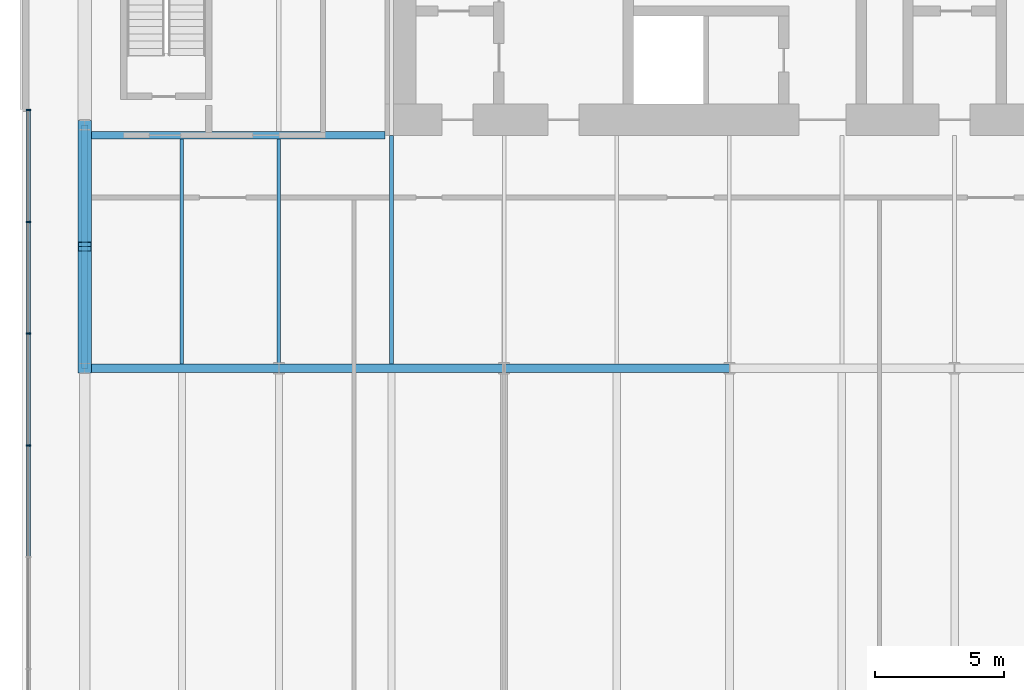
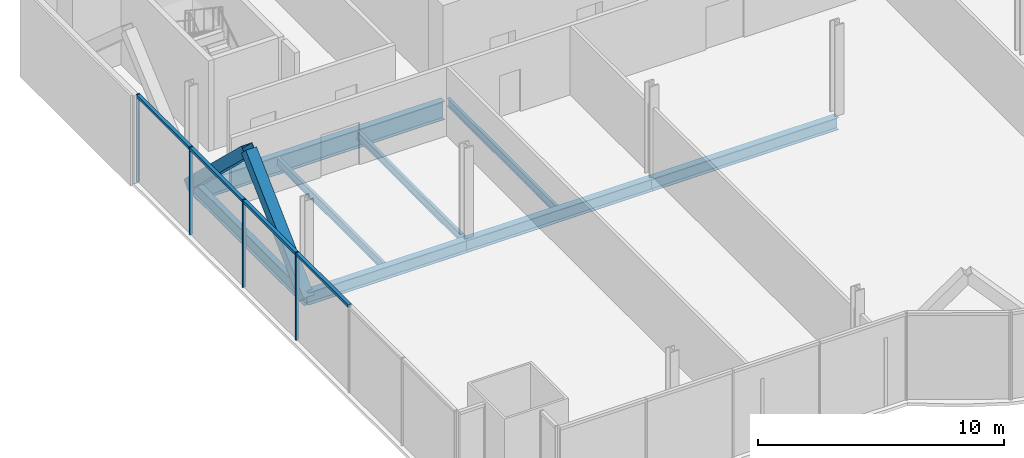
# One storey, part 6 of 21: 10 members, 8 beams, 1 element without a shape of its own.
"""IFC4 building model written with IfcOpenShell, lengths in metres."""

import ifcopenshell
import ifcopenshell.guid

model = None  # the IFC model being written
_history = None  # IfcOwnerHistory: only IFC2X3 demands one
_inside = {}  # id of a spatial element -> (the spatial element, [elements in it])
_under = {}  # id of a project, library or spatial element -> (it, [spatial elements below it])
_declared = {}  # id of a project -> (the project, [libraries it declares])
_typed = {}  # id of a type object -> (the type object, [elements of that type])
_made_of = {}  # id of a material, layer set ... -> (it, [elements and type objects made of it])


def new_model(schema):
    """Start an empty IFC model of exactly this schema.

    Asked for "IFC4X3", IfcOpenShell would pick the latest addendum, in which some entities
    have other attributes; the version numbers below select the first issue.
    IFC2X3 requires an IfcOwnerHistory on every rooted entity: one is made here for all.
    """
    global model, _history
    if schema == "IFC4X3":
        model = ifcopenshell.file(schema_version=(4, 3, 0, 0))
    else:
        model = ifcopenshell.file(schema=schema)
    _inside.clear()
    _under.clear()
    _declared.clear()
    _typed.clear()
    _made_of.clear()
    _history = None
    if model.schema == "IFC2X3":
        org = make("IfcOrganization", Name="unknown")
        user = make(
            "IfcPersonAndOrganization",
            ThePerson=make("IfcPerson", FamilyName="unknown"),
            TheOrganization=org,
        )
        app = make(
            "IfcApplication",
            ApplicationDeveloper=org,
            Version="unknown",
            ApplicationFullName="unknown",
            ApplicationIdentifier="unknown",
        )
        _history = make(
            "IfcOwnerHistory",
            OwningUser=user,
            OwningApplication=app,
            ChangeAction="ADDED",
            CreationDate=0,
        )
    return model


def make(cls, **values):
    """One entity of the class cls with the attributes given. An attribute that is None is left unset."""
    return model.create_entity(
        cls, **{name: value for name, value in values.items() if value is not None}
    )


def rooted(cls, **values):
    """An entity with a GlobalId (a new one), such as an element, a storey or a relation."""
    return make(cls, GlobalId=ifcopenshell.guid.new(), OwnerHistory=_history, **values)


def si_unit(unit_type, name, prefix=None):
    """IfcSIUnit, for example si_unit("LENGTHUNIT", "METRE", prefix="MILLI")."""
    return make("IfcSIUnit", UnitType=unit_type, Prefix=prefix, Name=name)


def assignment(units):
    """IfcUnitAssignment: the units of a project."""
    return None if units is None else make("IfcUnitAssignment", Units=units)


def point(xyz):
    """IfcCartesianPoint."""
    return None if xyz is None else make("IfcCartesianPoint", Coordinates=xyz)


def direction(xyz):
    """IfcDirection."""
    return None if xyz is None else make("IfcDirection", DirectionRatios=xyz)


def frame(location, z_axis=None, x_axis=None):
    """IfcAxis2Placement3D, a coordinate frame: its origin and axes. An axis left out is left unset."""
    return make(
        "IfcAxis2Placement3D",
        Location=point(location),
        Axis=direction(z_axis),
        RefDirection=direction(x_axis),
    )


def frame_2d(location, x_axis=None):
    """IfcAxis2Placement2D, a coordinate frame in the plane: its origin and x axis."""
    return make(
        "IfcAxis2Placement2D", Location=point(location), RefDirection=direction(x_axis)
    )


def origin():
    """The frame at (0, 0, 0) with its axes left unset."""
    return frame((0.0, 0.0, 0.0))


def origin_2d():
    """The frame at (0, 0) in the plane with its x axis left unset."""
    return frame_2d((0.0, 0.0))


def place(relative_to, where):
    """IfcLocalPlacement: puts the frame where relative to a parent placement (None: the world)."""
    return make(
        "IfcLocalPlacement", PlacementRelTo=relative_to, RelativePlacement=where
    )


def context(
    kind, dimensions, precision=None, world=None, true_north=None, identifier=None
):
    """IfcGeometricRepresentationContext, for example the 3D "Model" context."""
    return make(
        "IfcGeometricRepresentationContext",
        ContextIdentifier=identifier,
        ContextType=kind,
        CoordinateSpaceDimension=dimensions,
        Precision=precision,
        WorldCoordinateSystem=world,
        TrueNorth=true_north,
    )


def subcontext(parent, identifier, kind, view, scale=None):
    """IfcGeometricRepresentationSubContext, for example "Body" below "Model"."""
    return make(
        "IfcGeometricRepresentationSubContext",
        ContextIdentifier=identifier,
        ContextType=kind,
        ParentContext=parent,
        TargetScale=scale,
        TargetView=view,
    )


def project(units=None, contexts=None):
    """IfcProject with its units and contexts."""
    return rooted(
        "IfcProject",
        Name="project",
        RepresentationContexts=contexts,
        UnitsInContext=assignment(units),
    )


def spatial(cls, under=None, at=None, **own):
    """A site, building, storey or space (cls), placed at a placement, below another one or the project."""
    s = rooted(cls, ObjectPlacement=at, **own)
    if under is not None:
        _under.setdefault(under.id(), (under, []))[1].append(s)
    return s


def profile(cls, at=None, kind="AREA", **sizes):
    """A parametric profile (cls). Its sizes go by their IFC names, for example OverallWidth=200.0."""
    return make(cls, ProfileType=kind, Position=at, **sizes)


def rectangle(**sizes):
    """IfcRectangleProfileDef."""
    return profile("IfcRectangleProfileDef", **sizes)


def hollow_rectangle(**sizes):
    """IfcRectangleHollowProfileDef."""
    return profile("IfcRectangleHollowProfileDef", **sizes)


def i_section(**sizes):
    """IfcIShapeProfileDef."""
    return profile("IfcIShapeProfileDef", **sizes)


def extrude(swept, where, along, depth):
    """IfcExtrudedAreaSolid: the profile swept, set in the frame where, extruded along a direction by depth."""
    return make(
        "IfcExtrudedAreaSolid",
        SweptArea=swept,
        Position=where,
        ExtrudedDirection=direction(along),
        Depth=depth,
    )


def shape(context_of_items, identifier, shape_type, items):
    """IfcShapeRepresentation: the items that make up one representation, for example the "Body"."""
    return make(
        "IfcShapeRepresentation",
        ContextOfItems=context_of_items,
        RepresentationIdentifier=identifier,
        RepresentationType=shape_type,
        Items=items,
    )


def material(Name=None, Category=None):
    """IfcMaterial."""
    return make("IfcMaterial", Name=Name, Category=Category)


def material_profile(
    of_material, cross_section, Name=None, Category=None, Priority=None
):
    """IfcMaterialProfile: a cross section and its material."""
    return make(
        "IfcMaterialProfile",
        Name=Name,
        Material=of_material,
        Profile=cross_section,
        Priority=Priority,
        Category=Category,
    )


def profile_set(profiles, Name=None, composite=None):
    """IfcMaterialProfileSet."""
    return make(
        "IfcMaterialProfileSet",
        Name=Name,
        MaterialProfiles=profiles,
        CompositeProfile=composite,
    )


def made_of(thing, what):
    """Note that an element or type object is made of a material, layer set ...; save() writes the relation."""
    if what is not None:
        _made_of.setdefault(what.id(), (what, []))[1].append(thing)
    return thing


def type_object(cls, material=None, **own):
    """A type object (cls), such as IfcWallType, which elements share."""
    return made_of(rooted(cls, **own), material)


def element(
    cls,
    number,
    at=None,
    inside=None,
    cuts=None,
    type_object=None,
    material=None,
    context=None,
    identifier="Body",
    shape_type=None,
    held_by="IfcProductDefinitionShape",
    body=None,
    shapes=None,
    **own,
):
    """One element of the class cls, such as IfcWall. Its Tag is "e" and its number.

    at: its placement. inside: the storey or other place that contains it. cuts: it is an
    opening in that element (IfcRelVoidsElement). A single representation is given by context,
    identifier, shape_type and body (its items); several are given by shapes. held_by: the class
    of the entity that holds the representations. save() writes the other relations.
    """
    e = rooted(cls, Tag="e%d" % number, ObjectPlacement=at, **own)
    if body is not None:
        shapes = [shape(context, identifier, shape_type, body)]
    if shapes is not None:
        e.Representation = make(held_by, Representations=shapes)
    if inside is not None:
        _inside.setdefault(inside.id(), (inside, []))[1].append(e)
    if cuts is not None:
        rooted(
            "IfcRelVoidsElement", RelatingBuildingElement=cuts, RelatedOpeningElement=e
        )
    if type_object is not None:
        _typed.setdefault(type_object.id(), (type_object, []))[1].append(e)
    return made_of(e, material)


def aggregate(whole, parts):
    """IfcRelAggregates: a whole, such as a stair, and the parts it consists of."""
    return rooted("IfcRelAggregates", RelatingObject=whole, RelatedObjects=parts)


def save(model, path):
    """Write the relations noted so far, then the file.

    IfcRelAggregates (storeys below a building ...), IfcRelContainedInSpatialStructure (elements
    in a storey), IfcRelDefinesByType, IfcRelAssociatesMaterial and IfcRelDeclares: one each for
    every whole, place, type object, material and project.
    """
    for whole, parts in _under.values():
        aggregate(whole, parts)
    for where, things in _inside.values():
        rooted(
            "IfcRelContainedInSpatialStructure",
            RelatedElements=things,
            RelatingStructure=where,
        )
    for kind, things in _typed.values():
        rooted("IfcRelDefinesByType", RelatedObjects=things, RelatingType=kind)
    for what, things in _made_of.values():
        rooted("IfcRelAssociatesMaterial", RelatedObjects=things, RelatingMaterial=what)
    for by, libraries in _declared.values():
        rooted("IfcRelDeclares", RelatingContext=by, RelatedDefinitions=libraries)
    model.write(path)


model = new_model("IFC4")

# Units and contexts
model_context = context("Model", 3, precision=1e-05, world=origin(), true_north=direction((0.0, 1.0)))
body_context = subcontext(model_context, "Body", "Model", "MODEL_VIEW")
ifc_project = project(units=[si_unit("LENGTHUNIT", "METRE"), si_unit("AREAUNIT", "SQUARE_METRE"), si_unit("VOLUMEUNIT", "CUBIC_METRE"), si_unit("PLANEANGLEUNIT", "RADIAN"), si_unit("MASSUNIT", "GRAM", prefix="KILO")], contexts=[model_context])

# Site, building, storey
site_placement = place(None, origin())
site = spatial("IfcSite", under=ifc_project, at=site_placement, CompositionType="ELEMENT")
building_placement = place(site_placement, origin())
building = spatial("IfcBuilding", under=site, at=building_placement, Name="Bicima Exchange Tower", CompositionType="ELEMENT")
storey_placement = place(building_placement, frame((0.0, 0.0, 48.5)))
storey = spatial("IfcBuildingStorey", under=building, at=storey_placement, Name="L09", CompositionType="ELEMENT", Elevation=48.5)

# Beam
ifc_material_1 = material(Name="Steel ASTM A992 Gr 50", Category="steel")
ifc_material_profile_1 = material_profile(ifc_material_1, i_section(OverallWidth=0.3046875, OverallDepth=0.911865234375, WebThickness=0.015869140625, FlangeThickness=0.02392578125, at=origin_2d()))
ifc_profile_set_1 = profile_set([ifc_material_profile_1], Name="Steel ASTM A992 Gr 50")
beam_type_1 = type_object("IfcBeamType", Name="Core-line girder W36x150", PredefinedType="BEAM", material=ifc_profile_set_1)
beam_1_placement = place(storey_placement, frame((-22.0, -13.0, -0.60595703125), z_axis=(-1.0, 0.0, 0.0), x_axis=(0.0, -1.0, 0.0)))
element("IfcBeam", 1, at=beam_1_placement, inside=storey, type_object=beam_type_1, Name="Core-line girder", PredefinedType="BEAM", context=body_context, shape_type="SweptSolid", body=[
    extrude(i_section(OverallWidth=0.3046875, OverallDepth=0.911865234375, WebThickness=0.015869140625, FlangeThickness=0.02392578125, at=origin_2d()), origin(), (0.0, 0.0, 1.0), 11.60009765625),
])

# Curtain wall, members
ifc_material_2 = material(Name="Anodised bronze aluminium", Category="aluminium")
curtain_wall_type = type_object("IfcCurtainWallType", Name="End face glass wall", PredefinedType="NOTDEFINED", material=ifc_material_2)
curtain_wall_placement = place(storey_placement, origin())
curtain_wall = element("IfcCurtainWall", 2, at=curtain_wall_placement, inside=storey, type_object=curtain_wall_type, Name="End face glass wall L09 run 2", PredefinedType="NOTDEFINED")
ifc_material_profile_2 = material_profile(ifc_material_2, rectangle(XDim=0.159912109375, YDim=0.06005859375, at=origin_2d()))
ifc_profile_set_2 = profile_set([ifc_material_profile_2], Name="Anodised bronze aluminium")
member_type_1 = type_object("IfcMemberType", Name="End face glass wall mullion 60 x 160", PredefinedType="MULLION", material=ifc_profile_set_2)
member_1_placement = place(storey_placement, frame((-35.77001953125, -12.030029296875, 0.0), z_axis=(0.0, 0.0, 1.0), x_axis=(1.0, 0.0, 0.0)))
member_1 = element("IfcMember", 3, at=member_1_placement, type_object=member_type_1, Name="End face glass wall mullion 1", PredefinedType="MULLION", context=body_context, shape_type="SweptSolid", body=[
    extrude(rectangle(XDim=0.159912109375, YDim=0.06005859375, at=origin_2d()), origin(), (0.0, 0.0, 1.0), 4.35009765625),
])
member_2_placement = place(storey_placement, frame((-35.77001953125, -16.34619140625, 0.0), z_axis=(0.0, 0.0, 1.0), x_axis=(1.0, 0.0, 0.0)))
member_2 = element("IfcMember", 4, at=member_2_placement, type_object=member_type_1, Name="End face glass wall mullion 2", PredefinedType="MULLION", context=body_context, shape_type="SweptSolid", body=[
    extrude(rectangle(XDim=0.159912109375, YDim=0.06005859375, at=origin_2d()), origin(), (0.0, 0.0, 1.0), 4.35009765625),
])
member_3_placement = place(storey_placement, frame((-35.77001953125, -20.66259765625, 0.0), z_axis=(0.0, 0.0, 1.0), x_axis=(1.0, 0.0, 0.0)))
member_3 = element("IfcMember", 5, at=member_3_placement, type_object=member_type_1, Name="End face glass wall mullion 3", PredefinedType="MULLION", context=body_context, shape_type="SweptSolid", body=[
    extrude(rectangle(XDim=0.159912109375, YDim=0.06005859375, at=origin_2d()), origin(), (0.0, 0.0, 1.0), 4.35009765625),
])
member_4_placement = place(storey_placement, frame((-35.77001953125, -24.97900390625, 0.0), z_axis=(0.0, 0.0, 1.0), x_axis=(1.0, 0.0, 0.0)))
member_4 = element("IfcMember", 6, at=member_4_placement, type_object=member_type_1, Name="End face glass wall mullion 4", PredefinedType="MULLION", context=body_context, shape_type="SweptSolid", body=[
    extrude(rectangle(XDim=0.159912109375, YDim=0.06005859375, at=origin_2d()), origin(), (0.0, 0.0, 1.0), 4.35009765625),
])
ifc_material_profile_3 = material_profile(ifc_material_2, rectangle(XDim=0.159912109375, YDim=0.139892578125, at=origin_2d()))
ifc_profile_set_3 = profile_set([ifc_material_profile_3], Name="Anodised bronze aluminium")
member_type_2 = type_object("IfcMemberType", Name="End face glass wall transom 140 x 160", PredefinedType="USERDEFINED", material=ifc_profile_set_3)
member_5_placement = place(storey_placement, frame((-35.77001953125, -12.06005859375, 4.280029296875), z_axis=(0.0, -1.0, 0.0), x_axis=(1.0, 0.0, 0.0)))
member_5 = element("IfcMember", 7, at=member_5_placement, type_object=member_type_2, Name="End face glass wall transom 1.1", ObjectType="TRANSOM", PredefinedType="USERDEFINED", context=body_context, shape_type="SweptSolid", body=[
    extrude(rectangle(XDim=0.159912109375, YDim=0.139892578125, at=origin_2d()), origin(), (0.0, 0.0, 1.0), 4.25634765625),
])
member_6_placement = place(storey_placement, frame((-35.77001953125, -16.376220703125, 4.280029296875), z_axis=(0.0, -1.0, 0.0), x_axis=(1.0, 0.0, 0.0)))
member_6 = element("IfcMember", 8, at=member_6_placement, type_object=member_type_2, Name="End face glass wall transom 2.1", ObjectType="TRANSOM", PredefinedType="USERDEFINED", context=body_context, shape_type="SweptSolid", body=[
    extrude(rectangle(XDim=0.159912109375, YDim=0.139892578125, at=origin_2d()), origin(), (0.0, 0.0, 1.0), 4.256591796875),
])
member_7_placement = place(storey_placement, frame((-35.77001953125, -20.692626953125, 4.280029296875), z_axis=(0.0, -1.0, 0.0), x_axis=(1.0, 0.0, 0.0)))
member_7 = element("IfcMember", 9, at=member_7_placement, type_object=member_type_2, Name="End face glass wall transom 3.1", ObjectType="TRANSOM", PredefinedType="USERDEFINED", context=body_context, shape_type="SweptSolid", body=[
    extrude(rectangle(XDim=0.159912109375, YDim=0.139892578125, at=origin_2d()), origin(), (0.0, 0.0, 1.0), 4.25634765625),
])
member_8_placement = place(storey_placement, frame((-35.77001953125, -25.009033203125, 4.280029296875), z_axis=(0.0, -1.0, 0.0), x_axis=(1.0, 0.0, 0.0)))
member_8 = element("IfcMember", 10, at=member_8_placement, type_object=member_type_2, Name="End face glass wall transom 4.1", ObjectType="TRANSOM", PredefinedType="USERDEFINED", context=body_context, shape_type="SweptSolid", body=[
    extrude(rectangle(XDim=0.159912109375, YDim=0.139892578125, at=origin_2d()), origin(), (0.0, 0.0, 1.0), 4.25634765625),
])
aggregate(curtain_wall, [member_1, member_2, member_3, member_4, member_5, member_6, member_7, member_8])

# Beams
ifc_material_profile_4 = material_profile(ifc_material_1, i_section(OverallWidth=0.256591796875, OverallDepth=0.693359375, WebThickness=0.014404296875, FlangeThickness=0.023681640625, at=origin_2d()))
ifc_profile_set_4 = profile_set([ifc_material_profile_4], Name="Steel ASTM A992 Gr 50")
beam_type_2 = type_object("IfcBeamType", Name="End girder W27x114", PredefinedType="BEAM", material=ifc_profile_set_4)
beam_2_placement = place(storey_placement, frame((-33.60009765625, -12.60009765625, -0.49658203125), z_axis=(0.0, -1.0, 0.0), x_axis=(1.0, 0.0, 0.0)))
element("IfcBeam", 11, at=beam_2_placement, inside=storey, type_object=beam_type_2, Name="End girder", PredefinedType="BEAM", context=body_context, shape_type="SweptSolid", body=[
    extrude(i_section(OverallWidth=0.256591796875, OverallDepth=0.693359375, WebThickness=0.014404296875, FlangeThickness=0.023681640625, at=origin_2d()), origin(), (0.0, 0.0, 1.0), 9.39990234375),
])
ifc_material_profile_5 = material_profile(ifc_material_1, i_section(OverallWidth=0.140380859375, OverallDepth=0.40380859375, WebThickness=0.007080078125, FlangeThickness=0.01123046875, at=origin_2d()))
ifc_profile_set_5 = profile_set([ifc_material_profile_5], Name="Steel ASTM A992 Gr 50")
beam_type_3 = type_object("IfcBeamType", Name="Floor beam W16x31", PredefinedType="JOIST", material=ifc_profile_set_5)
for number, where, z_axis, x_axis, name in (
    (12, (-29.85009765625, -13.15234375, -0.351806640625), (0.0, -1.0, 0.0), (1.0, 0.0, 0.0), "Floor beam"),
    (13, (-26.10009765625, -13.15234375, -0.351806640625), (0.0, -1.0, 0.0), (1.0, 0.0, 0.0), "Floor beam"),
):
    element("IfcBeam", number, at=place(storey_placement, frame(where, z_axis=z_axis, x_axis=x_axis)), inside=storey, type_object=beam_type_3, Name=name, PredefinedType="JOIST", context=body_context, shape_type="SweptSolid", body=[
        extrude(i_section(OverallWidth=0.140380859375, OverallDepth=0.40380859375, WebThickness=0.007080078125, FlangeThickness=0.01123046875, at=origin_2d()), origin(), (0.0, 0.0, 1.0), 8.68505859375),
    ])
beam_3_placement = place(storey_placement, frame((-21.75, -13.0, -0.351806640625), z_axis=(0.0, -1.0, 0.0), x_axis=(1.0, 0.0, 0.0)))
element("IfcBeam", 14, at=beam_3_placement, inside=storey, type_object=beam_type_3, Name="Floor beam", PredefinedType="JOIST", context=body_context, shape_type="SweptSolid", body=[
    extrude(i_section(OverallWidth=0.140380859375, OverallDepth=0.40380859375, WebThickness=0.007080078125, FlangeThickness=0.01123046875, at=origin_2d()), origin(), (0.0, 0.0, 1.0), 8.83740234375),
])

# Members
ifc_material_3 = material(Name="Steel ASTM A572 Gr 50", Category="steel")
ifc_material_profile_6 = material_profile(ifc_material_3, hollow_rectangle(XDim=0.508056640625, YDim=0.508056640625, WallThickness=0.017822265625, at=origin_2d()))
ifc_profile_set_6 = profile_set([ifc_material_profile_6], Name="Steel ASTM A572 Gr 50")
member_type_3 = type_object("IfcMemberType", Name="Mega brace HSS20x20x3/4", PredefinedType="BRACE", material=ifc_profile_set_6)
for number, where, z_axis, x_axis, name in (
    (15, (-33.60009765625, -12.60009765625, -0.49658203125), (0.0, -0.722304421208, 0.691575247608), (1.0, 0.0, 0.0), "Mega brace west end"),
    (16, (-33.60009765625, -22.0, -0.49658203125), (0.0, 0.722304421208, 0.691575247608), (-1.0, 0.0, 0.0), "Mega brace west end"),
):
    element("IfcMember", number, at=place(storey_placement, frame(where, z_axis=z_axis, x_axis=x_axis)), inside=storey, type_object=member_type_3, Name=name, PredefinedType="BRACE", context=body_context, shape_type="SweptSolid", body=[
        extrude(hollow_rectangle(XDim=0.508056640625, YDim=0.508056640625, WallThickness=0.017822265625, at=origin_2d()), origin(), (0.0, 0.0, 1.0), 6.5068359375),
    ])

# Beams
ifc_material_profile_7 = material_profile(ifc_material_1, i_section(OverallWidth=0.3251953125, OverallDepth=0.612060546875, WebThickness=0.0126953125, FlangeThickness=0.01904296875, at=origin_2d()))
ifc_profile_set_7 = profile_set([ifc_material_profile_7], Name="Steel ASTM A992 Gr 50")
beam_type_4 = type_object("IfcBeamType", Name="Row girder W24x104", PredefinedType="BEAM", material=ifc_profile_set_7)
beam_4_placement = place(storey_placement, frame((-33.60009765625, -22.0, -0.4560546875), z_axis=(1.0, 0.0, 0.0), x_axis=(0.0, 1.0, 0.0)))
element("IfcBeam", 17, at=beam_4_placement, inside=storey, type_object=beam_type_4, Name="Row girder", PredefinedType="BEAM", context=body_context, shape_type="SweptSolid", body=[
    extrude(i_section(OverallWidth=0.3251953125, OverallDepth=0.612060546875, WebThickness=0.0126953125, FlangeThickness=0.01904296875, at=origin_2d()), origin(), (0.0, 0.0, 1.0), 7.5),
])
beam_5_placement = place(storey_placement, frame((-26.10009765625, -22.0, -0.4560546875), z_axis=(1.0, 0.0, 0.0), x_axis=(0.0, 1.0, 0.0)))
element("IfcBeam", 18, at=beam_5_placement, inside=storey, type_object=beam_type_4, Name="Row girder", PredefinedType="BEAM", context=body_context, shape_type="SweptSolid", body=[
    extrude(i_section(OverallWidth=0.3251953125, OverallDepth=0.612060546875, WebThickness=0.0126953125, FlangeThickness=0.01904296875, at=origin_2d()), origin(), (0.0, 0.0, 1.0), 8.7001953125),
])
beam_6_placement = place(storey_placement, frame((-17.39990234375, -22.0, -0.4560546875), z_axis=(1.0, 0.0, 0.0), x_axis=(0.0, 1.0, 0.0)))
element("IfcBeam", 19, at=beam_6_placement, inside=storey, type_object=beam_type_4, Name="Row girder", PredefinedType="BEAM", context=body_context, shape_type="SweptSolid", body=[
    extrude(i_section(OverallWidth=0.3251953125, OverallDepth=0.612060546875, WebThickness=0.0126953125, FlangeThickness=0.01904296875, at=origin_2d()), origin(), (0.0, 0.0, 1.0), 8.699951171875),
])

save(model, "model.ifc")
